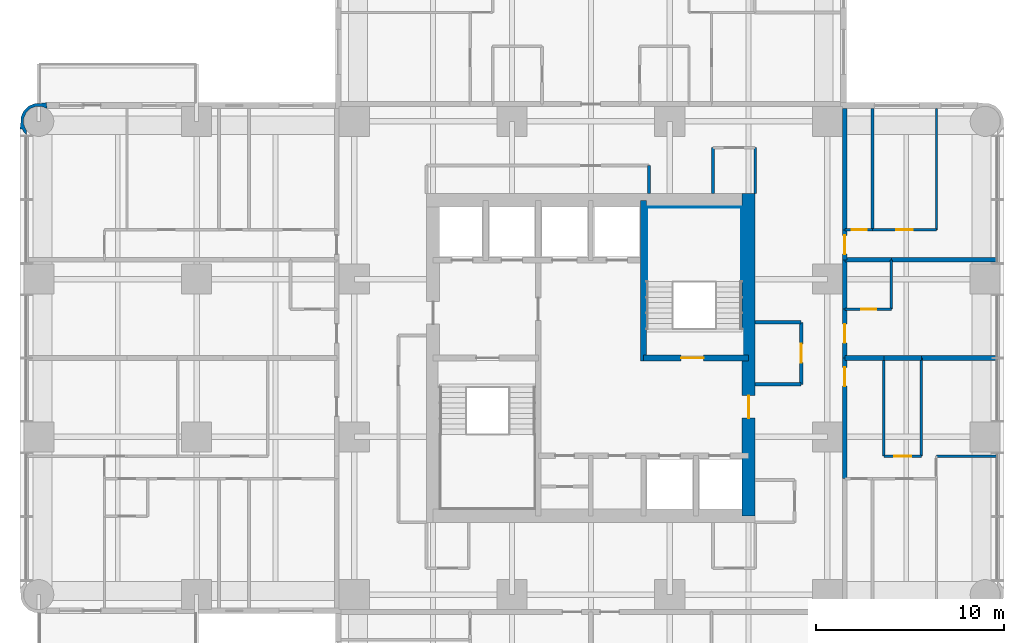
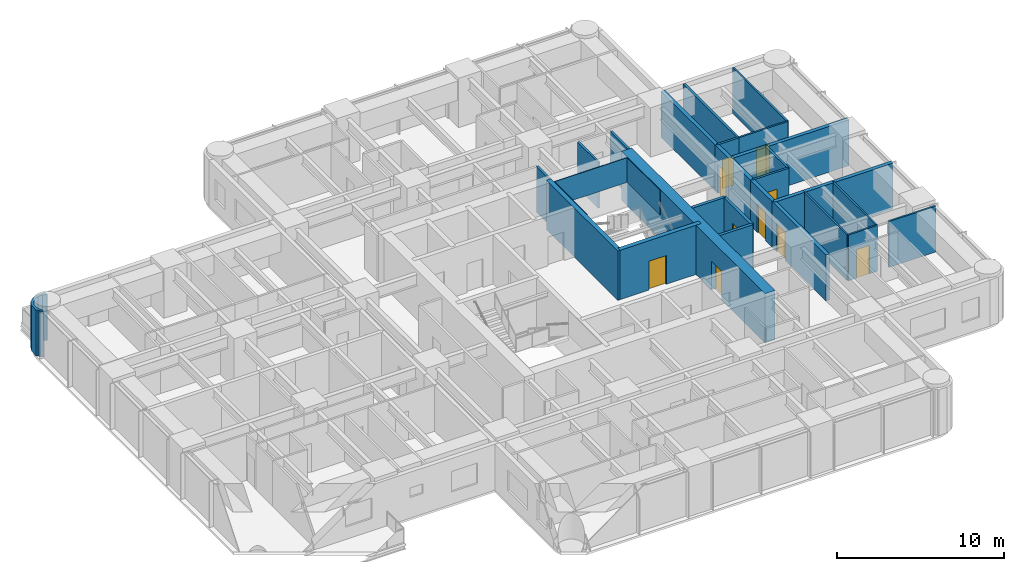
# One storey, part 8 of 11: 33 walls, 10 doors, 10 openings.
"""IFC4 building model written with IfcOpenShell, lengths in metres."""

from ifc_helpers import new_model, si_unit, direction, frame, frame_2d, origin, place, context, subcontext, project, spatial, polyline, rectangle, outline, extrude, material, layer, layer_set, type_object, element, fill, save


model = new_model("IFC4")

# Units and contexts
model_context = context("Model", 3, precision=1e-05, world=origin(), true_north=direction((0.0, 1.0)))
body_context = subcontext(model_context, "Body", "Model", "MODEL_VIEW")
ifc_project = project(units=[si_unit("LENGTHUNIT", "METRE"), si_unit("AREAUNIT", "SQUARE_METRE"), si_unit("VOLUMEUNIT", "CUBIC_METRE"), si_unit("PLANEANGLEUNIT", "RADIAN"), si_unit("MASSUNIT", "GRAM", prefix="KILO")], contexts=[model_context])

# Site, building, storey
site_placement = place(None, origin())
site = spatial("IfcSite", under=ifc_project, at=site_placement, CompositionType="ELEMENT")
building_placement = place(site_placement, origin())
building = spatial("IfcBuilding", under=site, at=building_placement, Name="Torre Alcanfor", CompositionType="ELEMENT")
storey_placement = place(building_placement, frame((0.0, 0.0, 244.5)))
storey = spatial("IfcBuildingStorey", under=building, at=storey_placement, Name="L64", CompositionType="ELEMENT", Elevation=244.5)

# Wall, opening, door
ifc_material_1 = material(Name="Concrete block masonry, hollow blocks NMX-C-404 9 MPa", Category="masonry")
ifc_layer_1 = layer(ifc_material_1, 0.25)
ifc_layer_set_1 = layer_set([ifc_layer_1], Name="Apartment entrance wall 250 EI 60")
wall_type_1 = type_object("IfcWallType", Name="Apartment entrance wall 250 EI 60", PredefinedType="PARTITIONING", material=ifc_layer_set_1)
wall_1_placement = place(storey_placement, frame((42.925048828125, 32.0, 0.0), z_axis=(0.0, 0.0, 1.0), x_axis=(0.0, -1.0, 0.0)))
wall_1 = element("IfcWall", 1, at=wall_1_placement, inside=storey, type_object=wall_type_1, Name="Partition L64-CORR / L64-E1A-STUDIO", PredefinedType="PARTITIONING", context=body_context, shape_type="SweptSolid", body=[
    extrude(rectangle(XDim=2.60009765625, YDim=0.25, at=frame_2d((1.300048828125, 0.0))), origin(), (0.0, 0.0, 1.0), 3.35009765625),
])
opening_1_placement = place(wall_1_placement, frame((0.800048828125, 0.0, 0.0)))
opening_1 = element("IfcOpeningElement", 2, at=opening_1_placement, cuts=wall_1, Name="Opening D-A1", PredefinedType="OPENING", context=body_context, shape_type="SweptSolid", body=[
    extrude(rectangle(XDim=1.0, YDim=2.10009765625, at=frame_2d((0.5, 1.050048828125))), frame((0.0, 0.135009765625, 0.0), z_axis=(0.0, -1.0, 0.0), x_axis=(1.0, 0.0, 0.0)), (0.0, 0.0, 1.0), 0.27001953125),
])
ifc_material_2 = material(Name="Galvanised steel sheet ASTM A653", Category="steel")
door_type_1 = type_object("IfcDoorType", Name="Apartment entrance door FD60 1000x2100", OperationType="SINGLE_SWING_LEFT", PredefinedType="DOOR", material=ifc_material_2)
door_1_placement = place(opening_1_placement, origin())
door_1 = element("IfcDoor", 3, at=door_1_placement, inside=storey, type_object=door_type_1, Name="Apartment entrance L64-E1A", OperationType="SINGLE_SWING_LEFT", OverallHeight=2.10009765625, OverallWidth=1.0, PredefinedType="DOOR", context=body_context, shape_type="SweptSolid", body=[
    extrude(rectangle(XDim=1.0, YDim=2.10009765625, at=frame_2d((0.5, 1.050048828125))), frame((0.0, 0.02490234375, 0.0), z_axis=(0.0, -1.0, 0.0), x_axis=(1.0, 0.0, 0.0)), (0.0, 0.0, 1.0), 0.050048828125),
])
fill(opening_1, door_1)

# Wall
wall_2_placement = place(storey_placement, frame((42.925048828125, 34.62890625, 0.0), z_axis=(0.0, 0.0, 1.0), x_axis=(0.0, -1.0, 0.0)))
element("IfcWall", 4, at=wall_2_placement, inside=storey, type_object=wall_type_1, Name="Partition L64-CORR / L64-E1A-BATH", PredefinedType="PARTITIONING", context=body_context, shape_type="SweptSolid", body=[
    extrude(rectangle(XDim=2.62890625, YDim=0.25, at=frame_2d((1.314453125, 0.0))), origin(), (0.0, 0.0, 1.0), 3.35009765625),
])

# Wall, opening, door
wall_3_placement = place(storey_placement, frame((42.925048828125, 36.22900390625, 0.0), z_axis=(0.0, 0.0, 1.0), x_axis=(0.0, -1.0, 0.0)))
wall_3 = element("IfcWall", 5, at=wall_3_placement, inside=storey, type_object=wall_type_1, Name="Partition L64-CORR / L64-E1B-LIVING", PredefinedType="PARTITIONING", context=body_context, shape_type="SweptSolid", body=[
    extrude(rectangle(XDim=1.60009765625, YDim=0.25, at=frame_2d((0.800048828125, 0.0))), origin(), (0.0, 0.0, 1.0), 3.35009765625),
])
opening_2_placement = place(wall_3_placement, frame((0.300048828125, 0.0, 0.0)))
opening_2 = element("IfcOpeningElement", 6, at=opening_2_placement, cuts=wall_3, Name="Opening D-A1", PredefinedType="OPENING", context=body_context, shape_type="SweptSolid", body=[
    extrude(rectangle(XDim=1.0, YDim=2.10009765625, at=frame_2d((0.5, 1.050048828125))), frame((0.0, 0.135009765625, 0.0), z_axis=(0.0, -1.0, 0.0), x_axis=(1.0, 0.0, 0.0)), (0.0, 0.0, 1.0), 0.27001953125),
])
door_2_placement = place(opening_2_placement, origin())
door_2 = element("IfcDoor", 7, at=door_2_placement, inside=storey, type_object=door_type_1, Name="Apartment entrance L64-E1B", OperationType="SINGLE_SWING_LEFT", OverallHeight=2.10009765625, OverallWidth=1.0, PredefinedType="DOOR", context=body_context, shape_type="SweptSolid", body=[
    extrude(rectangle(XDim=1.0, YDim=2.10009765625, at=frame_2d((0.5, 1.050048828125))), frame((0.0, 0.02490234375, 0.0), z_axis=(0.0, -1.0, 0.0), x_axis=(1.0, 0.0, 0.0)), (0.0, 0.0, 1.0), 0.050048828125),
])
fill(opening_2, door_2)

# Wall
wall_4_placement = place(storey_placement, frame((42.925048828125, 42.699951171875, 0.0), z_axis=(0.0, 0.0, 1.0), x_axis=(0.0, -1.0, 0.0)))
element("IfcWall", 8, at=wall_4_placement, inside=storey, type_object=wall_type_1, Name="Partition L64-CORR / L64-E1B-BATH", PredefinedType="PARTITIONING", context=body_context, shape_type="SweptSolid", body=[
    extrude(rectangle(XDim=6.470947265625, YDim=0.25, at=frame_2d((3.2353515625, 0.0))), origin(), (0.0, 0.0, 1.0), 3.35009765625),
])

# Wall, opening, door
wall_5_placement = place(storey_placement, frame((42.925048828125, 29.39990234375, 0.0), z_axis=(0.0, 0.0, 1.0), x_axis=(0.0, -1.0, 0.0)))
wall_5 = element("IfcWall", 9, at=wall_5_placement, inside=storey, type_object=wall_type_1, Name="Partition L64-CORR / L64-E2-LIVING", PredefinedType="PARTITIONING", context=body_context, shape_type="SweptSolid", body=[
    extrude(rectangle(XDim=6.428955078125, YDim=0.25, at=frame_2d((3.21435546875, 0.0))), origin(), (0.0, 0.0, 1.0), 3.35009765625),
])
opening_3_placement = place(wall_5_placement, frame((0.5, 0.0, 0.0)))
opening_3 = element("IfcOpeningElement", 10, at=opening_3_placement, cuts=wall_5, Name="Opening D-A1", PredefinedType="OPENING", context=body_context, shape_type="SweptSolid", body=[
    extrude(rectangle(XDim=1.0, YDim=2.10009765625, at=frame_2d((0.5, 1.050048828125))), frame((0.0, 0.135009765625, 0.0), z_axis=(0.0, -1.0, 0.0), x_axis=(1.0, 0.0, 0.0)), (0.0, 0.0, 1.0), 0.27001953125),
])
door_3_placement = place(opening_3_placement, origin())
door_3 = element("IfcDoor", 11, at=door_3_placement, inside=storey, type_object=door_type_1, Name="Apartment entrance L64-E2", OperationType="SINGLE_SWING_LEFT", OverallHeight=2.10009765625, OverallWidth=1.0, PredefinedType="DOOR", context=body_context, shape_type="SweptSolid", body=[
    extrude(rectangle(XDim=1.0, YDim=2.10009765625, at=frame_2d((0.5, 1.050048828125))), frame((0.0, 0.02490234375, 0.0), z_axis=(0.0, -1.0, 0.0), x_axis=(1.0, 0.0, 0.0)), (0.0, 0.0, 1.0), 0.050048828125),
])
fill(opening_3, door_3)

ifc_material_3 = material(Name="Gypsum board on steel studs", Category="steel")
ifc_layer_2 = layer(ifc_material_3, 0.1201171875)
ifc_layer_set_2 = layer_set([ifc_layer_2], Name="Apartment partition 120")
wall_type_2 = type_object("IfcWallType", Name="Apartment partition 120", PredefinedType="PARTITIONING", material=ifc_layer_set_2)
wall_6_placement = place(storey_placement, frame((44.39990234375, 36.22900390625, 0.0), z_axis=(0.0, 0.0, 1.0), x_axis=(1.0, 0.0, 0.0)))
wall_6 = element("IfcWall", 12, at=wall_6_placement, inside=storey, type_object=wall_type_2, Name="Partition L64-E1B-LIVING / L64-E1B-MASTER", PredefinedType="PARTITIONING", context=body_context, shape_type="SweptSolid", body=[
    extrude(rectangle(XDim=3.400146484375, YDim=0.1201171875, at=frame_2d((1.7001953125, 0.0))), origin(), (0.0, 0.0, 1.0), 3.35009765625),
])
opening_4_placement = place(wall_6_placement, frame((1.25, 0.0, 0.0)))
opening_4 = element("IfcOpeningElement", 13, at=opening_4_placement, cuts=wall_6, Name="Opening D-R1", PredefinedType="OPENING", context=body_context, shape_type="SweptSolid", body=[
    extrude(rectangle(XDim=0.89990234375, YDim=2.10009765625, at=frame_2d((0.449951171875, 1.050048828125))), frame((0.0, 0.070068359375, 0.0), z_axis=(0.0, -1.0, 0.0), x_axis=(1.0, 0.0, 0.0)), (0.0, 0.0, 1.0), 0.14013671875),
])
ifc_material_4 = material(Name="Timber", Category="wood")
door_type_2 = type_object("IfcDoorType", Name="Internal door 900x2100", OperationType="SINGLE_SWING_LEFT", PredefinedType="DOOR", material=ifc_material_4)
door_4_placement = place(opening_4_placement, origin())
door_4 = element("IfcDoor", 14, at=door_4_placement, inside=storey, type_object=door_type_2, Name="Door L64-E1B master", OperationType="SINGLE_SWING_LEFT", OverallHeight=2.10009765625, OverallWidth=0.89990234375, PredefinedType="DOOR", context=body_context, shape_type="SweptSolid", body=[
    extrude(rectangle(XDim=0.89990234375, YDim=2.10009765625, at=frame_2d((0.449951171875, 1.050048828125))), frame((0.0, 0.02490234375, 0.0), z_axis=(0.0, -1.0, 0.0), x_axis=(1.0, 0.0, 0.0)), (0.0, 0.0, 1.0), 0.050048828125),
])
fill(opening_4, door_4)

# Walls
wall_7_placement = place(storey_placement, frame((47.800048828125, 36.22900390625, 0.0), z_axis=(0.0, 0.0, 1.0), x_axis=(0.0, 1.0, 0.0)))
element("IfcWall", 15, at=wall_7_placement, inside=storey, type_object=wall_type_2, Name="Partition L64-E1B-LIVING / L64-E1B-MASTER", PredefinedType="PARTITIONING", context=body_context, shape_type="SweptSolid", body=[
    extrude(rectangle(XDim=6.470947265625, YDim=0.1201171875, at=frame_2d((3.2353515625, 0.0))), origin(), (0.0, 0.0, 1.0), 3.35009765625),
])
wall_8_placement = place(storey_placement, frame((47.0, 29.39990234375, 0.0), z_axis=(0.0, 0.0, 1.0), x_axis=(0.0, -1.0, 0.0)))
element("IfcWall", 16, at=wall_8_placement, inside=storey, type_object=wall_type_2, Name="Partition L64-E2-KITCHEN / L64-E2-LIVING", PredefinedType="PARTITIONING", context=body_context, shape_type="SweptSolid", body=[
    extrude(rectangle(XDim=5.22900390625, YDim=0.1201171875, at=frame_2d((2.614501953125, 0.0))), origin(), (0.0, 0.0, 1.0), 3.35009765625),
])

# Wall, opening, door
wall_9_placement = place(storey_placement, frame((47.0, 24.1708984375, 0.0), z_axis=(0.0, 0.0, 1.0), x_axis=(-1.0, 0.0, 0.0)))
wall_9 = element("IfcWall", 17, at=wall_9_placement, inside=storey, type_object=wall_type_2, Name="Partition L64-E2-KITCHEN / L64-E2-LIVING", PredefinedType="PARTITIONING", context=body_context, shape_type="SweptSolid", body=[
    extrude(rectangle(XDim=2.0, YDim=0.1201171875, at=frame_2d((1.0, 0.0))), origin(), (0.0, 0.0, 1.0), 3.35009765625),
])
opening_5_placement = place(wall_9_placement, frame((0.550048828125, 0.0, 0.0)))
opening_5 = element("IfcOpeningElement", 18, at=opening_5_placement, cuts=wall_9, Name="Opening D-R1", PredefinedType="OPENING", context=body_context, shape_type="SweptSolid", body=[
    extrude(rectangle(XDim=0.89990234375, YDim=2.10009765625, at=frame_2d((0.449951171875, 1.050048828125))), frame((0.0, 0.070068359375, 0.0), z_axis=(0.0, -1.0, 0.0), x_axis=(1.0, 0.0, 0.0)), (0.0, 0.0, 1.0), 0.14013671875),
])
door_5_placement = place(opening_5_placement, frame((0.89990234375, 0.0, 0.0), z_axis=(0.0, 0.0, 1.0), x_axis=(-1.0, 0.0, 0.0)))
door_5 = element("IfcDoor", 19, at=door_5_placement, inside=storey, type_object=door_type_2, Name="Door L64-E2 kitchen", OperationType="SINGLE_SWING_RIGHT", OverallHeight=2.10009765625, OverallWidth=0.89990234375, PredefinedType="DOOR", context=body_context, shape_type="SweptSolid", body=[
    extrude(rectangle(XDim=0.89990234375, YDim=2.10009765625, at=frame_2d((0.449951171875, 1.050048828125))), frame((0.0, 0.025146484375, 0.0), z_axis=(0.0, -1.0, 0.0), x_axis=(1.0, 0.0, 0.0)), (0.0, 0.0, 1.0), 0.050048828125),
])
fill(opening_5, door_5)

# Walls
wall_10_placement = place(storey_placement, frame((45.0, 24.1708984375, 0.0), z_axis=(0.0, 0.0, 1.0), x_axis=(0.0, 1.0, 0.0)))
element("IfcWall", 20, at=wall_10_placement, inside=storey, type_object=wall_type_2, Name="Partition L64-E2-KITCHEN / L64-E2-LIVING", PredefinedType="PARTITIONING", context=body_context, shape_type="SweptSolid", body=[
    extrude(rectangle(XDim=5.22900390625, YDim=0.1201171875, at=frame_2d((2.614501953125, 0.0))), origin(), (0.0, 0.0, 1.0), 3.35009765625),
])
wall_11_placement = place(storey_placement, frame((51.050048828125, 24.1708984375, 0.0), z_axis=(0.0, 0.0, 1.0), x_axis=(-1.0, 0.0, 0.0)))
element("IfcWall", 21, at=wall_11_placement, inside=storey, type_object=wall_type_2, Name="Partition L64-E2-LIVING / L64-E2-MASTER", PredefinedType="PARTITIONING", context=body_context, shape_type="SweptSolid", body=[
    extrude(rectangle(XDim=3.25, YDim=0.1201171875, at=frame_2d((1.625, 0.0))), origin(), (0.0, 0.0, 1.0), 3.35009765625),
])
ifc_material_5 = material(Name="Concrete f'c 70 MPa", Category="concrete")
ifc_layer_3 = layer(ifc_material_5, 0.300048828125)
ifc_layer_set_3 = layer_set([ifc_layer_3], Name="Core inner wall 300 f'c70")
wall_type_3 = type_object("IfcWallType", Name="Core inner wall 300 f'c70", PredefinedType="SHEAR", material=ifc_layer_set_3)
wall_12_placement = place(storey_placement, frame((32.199951171875, 29.25, 0.0), z_axis=(0.0, 0.0, 1.0), x_axis=(0.0, 1.0, 0.0)))
element("IfcWall", 22, at=wall_12_placement, inside=storey, type_object=wall_type_3, Name="Core wall X322N L64", PredefinedType="SHEAR", context=body_context, shape_type="SweptSolid", body=[
    extrude(rectangle(XDim=8.550048828125, YDim=0.300048828125, at=frame_2d((4.27490234375, 0.0))), origin(), (0.0, 0.0, 1.0), 3.60009765625),
])

# Wall, opening, door
wall_13_placement = place(storey_placement, frame((32.199951171875, 29.39990234375, 0.0), z_axis=(0.0, 0.0, 1.0), x_axis=(1.0, 0.0, 0.0)))
wall_13 = element("IfcWall", 23, at=wall_13_placement, inside=storey, type_object=wall_type_3, Name="Core wall Y294E L64", PredefinedType="SHEAR", context=body_context, shape_type="SweptSolid", body=[
    extrude(rectangle(XDim=5.60009765625, YDim=0.300048828125, at=frame_2d((2.800048828125, 0.0))), origin(), (0.0, 0.0, 1.0), 3.60009765625),
])
opening_6_placement = place(wall_13_placement, frame((2.0, 0.0, 0.0)))
opening_6 = element("IfcOpeningElement", 24, at=opening_6_placement, cuts=wall_13, Name="Opening D-S2", PredefinedType="OPENING", context=body_context, shape_type="SweptSolid", body=[
    extrude(rectangle(XDim=1.199951171875, YDim=2.10009765625, at=frame_2d((0.60009765625, 1.050048828125))), frame((0.0, 0.159912109375, 0.0), z_axis=(0.0, -1.0, 0.0), x_axis=(1.0, 0.0, 0.0)), (0.0, 0.0, 1.0), 0.320068359375),
])
ifc_material_6 = material(Name="Galvanised steel sheet ASTM A653", Category="steel")
door_type_3 = type_object("IfcDoorType", Name="Stair enclosure door FD120 1200x2100", OperationType="SINGLE_SWING_LEFT", PredefinedType="DOOR", material=ifc_material_6)
door_6_placement = place(opening_6_placement, origin())
door_6 = element("IfcDoor", 25, at=door_6_placement, inside=storey, type_object=door_type_3, Name="Stair S2 door L64", OperationType="SINGLE_SWING_LEFT", OverallHeight=2.10009765625, OverallWidth=1.199951171875, PredefinedType="DOOR", context=body_context, shape_type="SweptSolid", body=[
    extrude(rectangle(XDim=1.199951171875, YDim=2.10009765625, at=frame_2d((0.60009765625, 1.050048828125))), frame((0.0, 0.02490234375, 0.0), z_axis=(0.0, -1.0, 0.0), x_axis=(1.0, 0.0, 0.0)), (0.0, 0.0, 1.0), 0.050048828125),
])
fill(opening_6, door_6)

ifc_material_7 = material(Name="Concrete f'c 70 MPa", Category="concrete")
ifc_layer_4 = layer(ifc_material_7, 0.699951171875)
ifc_layer_set_4 = layer_set([ifc_layer_4], Name="Core wall 700 f'c70")
wall_type_4 = type_object("IfcWallType", Name="Core wall 700 f'c70", PredefinedType="SHEAR", material=ifc_layer_set_4)
wall_14_placement = place(storey_placement, frame((37.800048828125, 21.0, 0.0), z_axis=(0.0, 0.0, 1.0), x_axis=(0.0, 1.0, 0.0)))
wall_14 = element("IfcWall", 26, at=wall_14_placement, inside=storey, type_object=wall_type_4, Name="Core wall OUT-E L64", PredefinedType="SHEAR", context=body_context, shape_type="SweptSolid", body=[
    extrude(rectangle(XDim=17.14990234375, YDim=0.699951171875, at=frame_2d((8.574951171875, 0.0))), origin(), (0.0, 0.0, 1.0), 3.60009765625),
])
opening_7_placement = place(wall_14_placement, frame((5.199951171875, 0.0, 0.0)))
opening_7 = element("IfcOpeningElement", 27, at=opening_7_placement, cuts=wall_14, Name="Opening D-L1", PredefinedType="OPENING", context=body_context, shape_type="SweptSolid", body=[
    extrude(rectangle(XDim=1.199951171875, YDim=2.10009765625, at=frame_2d((0.60009765625, 1.050048828125))), frame((0.0, 0.35986328125, 0.0), z_axis=(0.0, -1.0, 0.0), x_axis=(1.0, 0.0, 0.0)), (0.0, 0.0, 1.0), 0.719970703125),
])
ifc_material_8 = material(Name="Galvanised steel sheet ASTM A653", Category="steel")
door_type_4 = type_object("IfcDoorType", Name="Lobby door FD120 1200x2100", OperationType="SINGLE_SWING_LEFT", PredefinedType="DOOR", material=ifc_material_8)
door_7_placement = place(opening_7_placement, origin())
door_7 = element("IfcDoor", 28, at=door_7_placement, inside=storey, type_object=door_type_4, Name="Lift lobby entrance door L64", OperationType="SINGLE_SWING_LEFT", OverallHeight=2.10009765625, OverallWidth=1.199951171875, PredefinedType="DOOR", context=body_context, shape_type="SweptSolid", body=[
    extrude(rectangle(XDim=1.199951171875, YDim=2.10009765625, at=frame_2d((0.60009765625, 1.050048828125))), frame((0.0, 0.02490234375, 0.0), z_axis=(0.0, -1.0, 0.0), x_axis=(1.0, 0.0, 0.0)), (0.0, 0.0, 1.0), 0.050048828125),
])
fill(opening_7, door_7)

# Walls
ifc_material_9 = material(Name="Concrete block masonry, hollow blocks NMX-C-404 9 MPa", Category="masonry")
ifc_layer_5 = layer(ifc_material_9, 0.25)
ifc_layer_set_5 = layer_set([ifc_layer_5], Name="Party wall 250 EI 60")
wall_type_5 = type_object("IfcWallType", Name="Party wall 250 EI 60", PredefinedType="PARTITIONING", material=ifc_layer_set_5)
wall_15_placement = place(storey_placement, frame((45.39990234375, 34.62890625, 0.0), z_axis=(0.0, 0.0, 1.0), x_axis=(1.0, 0.0, 0.0)))
element("IfcWall", 29, at=wall_15_placement, inside=storey, type_object=wall_type_5, Name="Partition L64-E1A-STUDIO / L64-E1B-LIVING", PredefinedType="PARTITIONING", context=body_context, shape_type="SweptSolid", body=[
    extrude(rectangle(XDim=5.650146484375, YDim=0.25, at=frame_2d((2.8251953125, 0.0))), origin(), (0.0, 0.0, 1.0), 3.35009765625),
])
wall_16_placement = place(storey_placement, frame((47.0, 29.39990234375, 0.0), z_axis=(0.0, 0.0, 1.0), x_axis=(-1.0, 0.0, 0.0)))
element("IfcWall", 30, at=wall_16_placement, inside=storey, type_object=wall_type_5, Name="Partition L64-E1A-STUDIO / L64-E2-KITCHEN", PredefinedType="PARTITIONING", context=body_context, shape_type="SweptSolid", body=[
    extrude(rectangle(XDim=2.0, YDim=0.25, at=frame_2d((1.0, 0.0))), origin(), (0.0, 0.0, 1.0), 3.35009765625),
])
wall_17_placement = place(storey_placement, frame((45.0, 29.39990234375, 0.0), z_axis=(0.0, 0.0, 1.0), x_axis=(-1.0, 0.0, 0.0)))
element("IfcWall", 31, at=wall_17_placement, inside=storey, type_object=wall_type_5, Name="Partition L64-E1A-STUDIO / L64-E2-LIVING", PredefinedType="PARTITIONING", context=body_context, shape_type="SweptSolid", body=[
    extrude(rectangle(XDim=2.074951171875, YDim=0.25, at=frame_2d((1.03759765625, 0.0))), origin(), (0.0, 0.0, 1.0), 3.35009765625),
])
wall_18_placement = place(storey_placement, frame((51.050048828125, 29.39990234375, 0.0), z_axis=(0.0, 0.0, 1.0), x_axis=(-1.0, 0.0, 0.0)))
element("IfcWall", 32, at=wall_18_placement, inside=storey, type_object=wall_type_5, Name="Partition L64-E1A-STUDIO / L64-E2-LIVING", PredefinedType="PARTITIONING", context=body_context, shape_type="SweptSolid", body=[
    extrude(rectangle(XDim=4.050048828125, YDim=0.25, at=frame_2d((2.02490234375, 0.0))), origin(), (0.0, 0.0, 1.0), 3.35009765625),
])
wall_19_placement = place(storey_placement, frame((45.39990234375, 34.62890625, 0.0), z_axis=(0.0, 0.0, 1.0), x_axis=(-1.0, 0.0, 0.0)))
element("IfcWall", 33, at=wall_19_placement, inside=storey, type_object=wall_type_5, Name="Partition L64-E1A-BATH / L64-E1B-LIVING", PredefinedType="PARTITIONING", context=body_context, shape_type="SweptSolid", body=[
    extrude(rectangle(XDim=2.474853515625, YDim=0.25, at=frame_2d((1.2373046875, 0.0))), origin(), (0.0, 0.0, 1.0), 3.35009765625),
])
ifc_material_10 = material(Name="Concrete block masonry, hollow blocks NMX-C-404 9 MPa", Category="masonry")
ifc_layer_6 = layer(ifc_material_10, 0.199951171875)
ifc_layer_set_6 = layer_set([ifc_layer_6], Name="Plant room wall 200 EI 60")
wall_type_6 = type_object("IfcWallType", Name="Plant room wall 200 EI 60", PredefinedType="PARTITIONING", material=ifc_layer_set_6)
wall_20_placement = place(storey_placement, frame((38.14990234375, 28.0, 0.0), z_axis=(0.0, 0.0, 1.0), x_axis=(1.0, 0.0, 0.0)))
element("IfcWall", 34, at=wall_20_placement, inside=storey, type_object=wall_type_6, Name="Partition L64-CORR / L64-G04", PredefinedType="PARTITIONING", context=body_context, shape_type="SweptSolid", body=[
    extrude(rectangle(XDim=2.4501953125, YDim=0.199951171875, at=frame_2d((1.22509765625, 0.0))), origin(), (0.0, 0.0, 1.0), 3.35009765625),
])

# Wall, opening, door
wall_21_placement = place(storey_placement, frame((40.60009765625, 28.0, 0.0), z_axis=(0.0, 0.0, 1.0), x_axis=(0.0, 1.0, 0.0)))
wall_21 = element("IfcWall", 35, at=wall_21_placement, inside=storey, type_object=wall_type_6, Name="Partition L64-CORR / L64-G04", PredefinedType="PARTITIONING", context=body_context, shape_type="SweptSolid", body=[
    extrude(rectangle(XDim=3.300048828125, YDim=0.199951171875, at=frame_2d((1.64990234375, 0.0))), origin(), (0.0, 0.0, 1.0), 3.35009765625),
])
opening_8_placement = place(wall_21_placement, frame((1.14990234375, 0.0, 0.0)))
opening_8 = element("IfcOpeningElement", 36, at=opening_8_placement, cuts=wall_21, Name="Opening D-K1", PredefinedType="OPENING", context=body_context, shape_type="SweptSolid", body=[
    extrude(rectangle(XDim=1.0, YDim=2.10009765625, at=frame_2d((0.5, 1.050048828125))), frame((0.0, 0.10986328125, 0.0), z_axis=(0.0, -1.0, 0.0), x_axis=(1.0, 0.0, 0.0)), (0.0, 0.0, 1.0), 0.219970703125),
])
ifc_material_11 = material(Name="Galvanised steel sheet ASTM A653", Category="steel")
door_type_5 = type_object("IfcDoorType", Name="Core room door FD60 1000x2100", OperationType="SINGLE_SWING_LEFT", PredefinedType="DOOR", material=ifc_material_11)
door_8_placement = place(opening_8_placement, origin())
door_8 = element("IfcDoor", 37, at=door_8_placement, inside=storey, type_object=door_type_5, Name="Door L64-G04 refuse and recycling store", OperationType="SINGLE_SWING_LEFT", OverallHeight=2.10009765625, OverallWidth=1.0, PredefinedType="DOOR", context=body_context, shape_type="SweptSolid", body=[
    extrude(rectangle(XDim=1.0, YDim=2.10009765625, at=frame_2d((0.5, 1.050048828125))), frame((0.0, 0.02490234375, 0.0), z_axis=(0.0, -1.0, 0.0), x_axis=(1.0, 0.0, 0.0)), (0.0, 0.0, 1.0), 0.050048828125),
])
fill(opening_8, door_8)

# Walls
wall_22_placement = place(storey_placement, frame((40.60009765625, 31.300048828125, 0.0), z_axis=(0.0, 0.0, 1.0), x_axis=(-1.0, 0.0, 0.0)))
element("IfcWall", 38, at=wall_22_placement, inside=storey, type_object=wall_type_6, Name="Partition L64-CORR / L64-G04", PredefinedType="PARTITIONING", context=body_context, shape_type="SweptSolid", body=[
    extrude(rectangle(XDim=2.4501953125, YDim=0.199951171875, at=frame_2d((1.22509765625, 0.0))), origin(), (0.0, 0.0, 1.0), 3.35009765625),
])
ifc_material_12 = material(Name="Concrete block masonry, hollow blocks NMX-C-404 9 MPa", Category="masonry")
ifc_layer_7 = layer(ifc_material_12, 0.14990234375)
ifc_layer_set_7 = layer_set([ifc_layer_7], Name="Residents' room partition 150")
wall_type_7 = type_object("IfcWallType", Name="Residents' room partition 150", PredefinedType="PARTITIONING", material=ifc_layer_set_7)
wall_23_placement = place(storey_placement, frame((32.5, 38.14990234375, 0.0), z_axis=(0.0, 0.0, 1.0), x_axis=(0.0, 1.0, 0.0)))
element("IfcWall", 39, at=wall_23_placement, inside=storey, type_object=wall_type_7, Name="Partition L64-CORR / L64-G01", PredefinedType="PARTITIONING", context=body_context, shape_type="SweptSolid", body=[
    extrude(rectangle(XDim=1.5, YDim=0.14990234375, at=frame_2d((0.75, 0.0))), origin(), (0.0, 0.0, 1.0), 3.35009765625),
])
for number, where, z_axis, x_axis, name in (
    (40, (38.14990234375, 38.14990234375, 0.0), (0.0, 0.0, 1.0), (0.0, 1.0, 0.0), "Partition L64-CORR / L64-G02"),
    (41, (35.89990234375, 40.60009765625, 0.0), (0.0, 0.0, 1.0), (0.0, -1.0, 0.0), "Partition L64-CORR / L64-G02"),
):
    element("IfcWall", number, at=place(storey_placement, frame(where, z_axis=z_axis, x_axis=x_axis)), inside=storey, type_object=wall_type_7, Name=name, PredefinedType="PARTITIONING", context=body_context, shape_type="SweptSolid", body=[
        extrude(rectangle(XDim=2.4501953125, YDim=0.14990234375, at=frame_2d((1.22509765625, 0.0))), origin(), (0.0, 0.0, 1.0), 3.35009765625),
    ])
ifc_material_13 = material(Name="Limestone cladding", Category="masonry")
ifc_layer_8 = layer(ifc_material_13, 0.0400390625, Name="Facing")
ifc_material_14 = material(Name="Ventilated air cavity")
ifc_layer_9 = layer(ifc_material_14, 0.02001953125, ventilated=True, Name="Ventilated joint")
ifc_material_15 = material(Name="Mineral wool insulation", Category="insulation")
ifc_layer_10 = layer(ifc_material_15, 0.10009765625, Name="Insulation")
ifc_material_16 = material(Name="Concrete f'c 35 MPa", Category="concrete")
ifc_layer_11 = layer(ifc_material_16, 0.139892578125, Name="Backing")
ifc_layer_set_8 = layer_set([ifc_layer_8, ifc_layer_9, ifc_layer_10, ifc_layer_11], Name="Rounded corner pier stone-clad 300")
wall_type_8 = type_object("IfcWallType", Name="Rounded corner pier stone-clad 300", PredefinedType="SOLIDWALL", material=ifc_layer_set_8)
wall_24_placement = place(storey_placement, frame((0.326823795, 42.817059488, 0.0), z_axis=(0.0, 0.0, 1.0), x_axis=(-0.93923434088, 0.343276641956, 0.0)))
element("IfcWall", 42, at=wall_24_placement, inside=storey, type_object=wall_type_8, Name="Corner pier L64 13", PredefinedType="SOLIDWALL", context=body_context, shape_type="SweptSolid", body=[
    extrude(outline(polyline([(-0.005838677930572508, -0.19691017002240385), (0.2656725893480827, -0.05504723679548061), (0.5353355739365452, 0.04351070532859805), (0.8164808166219237, 0.3019667887790936), (0.9774010351300944, 0.6482698031873169), (0.9936526519661447, 1.0298167590229048), (0.8950947098420661, 1.2994797436113674), (0.8284439015683875, 1.5984799607341533), (0.6967504599124257, 1.5690632792769885), (0.6041212101125378, 1.6695954267902182), (0.39402236502400456, 1.7672242392847775), (0.4711255170258348, 1.5562634010012864), (0.5086990809760941, 1.538803702790635), (0.7241945805605172, 1.30408163961566), (0.8334799177457201, 1.0050675818747117), (0.8201287688443563, 0.6867053603325339), (0.6856890926223405, 0.3973889179155373), (0.4509670294473655, 0.1818934183311141), (0.15195297170641725, 0.07260808114591123), (-0.11630424425966698, 0.08399689688883538), (-0.12741215805145528, 0.07811756360614214), (-0.14598588403076265, 0.07132913391902448), (-0.005838677930572508, -0.19691017002240385)])), origin(), (0.0, 0.0, 1.0), 3.35009765625),
])
ifc_material_17 = material(Name="Calcium silicate board", Category="masonry")
ifc_layer_12 = layer(ifc_material_17, 0.050048828125)
ifc_layer_set_9 = layer_set([ifc_layer_12], Name="Stair lining 50 EI 120")
wall_type_9 = type_object("IfcWallType", Name="Stair lining 50 EI 120", PredefinedType="PARTITIONING", material=ifc_layer_set_9)
wall_25_placement = place(storey_placement, frame((32.35009765625, 37.425048828125, 1.800048828125), z_axis=(0.0, 0.0, 1.0), x_axis=(1.0, 0.0, 0.0)))
element("IfcWall", 43, at=wall_25_placement, inside=storey, type_object=wall_type_9, Name="Stair lining S2 L64 north end", PredefinedType="PARTITIONING", context=body_context, shape_type="SweptSolid", body=[
    extrude(rectangle(XDim=5.099853515625, YDim=0.050048828125, at=frame_2d((2.5498046875, 0.0))), origin(), (0.0, 0.0, 1.0), 1.800048828125),
])
for number, where, z_axis, x_axis, name in (
    (44, (32.375, 33.469970703125, 1.800048828125), (0.0, 0.0, 1.0), (0.0, 1.0, 0.0), "Stair lining S2 L64 west side"),
    (45, (37.425048828125, 33.469970703125, 1.800048828125), (0.0, 0.0, 1.0), (0.0, 1.0, 0.0), "Stair lining S2 L64 east side"),
):
    element("IfcWall", number, at=place(storey_placement, frame(where, z_axis=z_axis, x_axis=x_axis)), inside=storey, type_object=wall_type_9, Name=name, PredefinedType="PARTITIONING", context=body_context, shape_type="SweptSolid", body=[
        extrude(rectangle(XDim=3.929931640625, YDim=0.050048828125, at=frame_2d((1.96484375, 0.0))), origin(), (0.0, 0.0, 1.0), 1.800048828125),
    ])

# Wall, opening, door
ifc_material_18 = material(Name="Cement board on steel studs", Category="steel")
ifc_layer_13 = layer(ifc_material_18, 0.14990234375)
ifc_layer_set_10 = layer_set([ifc_layer_13], Name="Wet area partition 150")
wall_type_10 = type_object("IfcWallType", Name="Wet area partition 150", PredefinedType="PARTITIONING", material=ifc_layer_set_10)
wall_26_placement = place(storey_placement, frame((42.925048828125, 32.0, 0.0), z_axis=(0.0, 0.0, 1.0), x_axis=(1.0, 0.0, 0.0)))
wall_26 = element("IfcWall", 46, at=wall_26_placement, inside=storey, type_object=wall_type_10, Name="Partition L64-E1A-STUDIO / L64-E1A-BATH", PredefinedType="PARTITIONING", context=body_context, shape_type="SweptSolid", body=[
    extrude(rectangle(XDim=2.474853515625, YDim=0.14990234375, at=frame_2d((1.2373046875, 0.0))), origin(), (0.0, 0.0, 1.0), 3.35009765625),
])
opening_9_placement = place(wall_26_placement, frame((0.875, 0.0, 0.0)))
opening_9 = element("IfcOpeningElement", 47, at=opening_9_placement, cuts=wall_26, Name="Opening D-R2", PredefinedType="OPENING", context=body_context, shape_type="SweptSolid", body=[
    extrude(rectangle(XDim=0.800048828125, YDim=2.10009765625, at=frame_2d((0.39990234375, 1.050048828125))), frame((0.0, 0.0849609375, 0.0), z_axis=(0.0, -1.0, 0.0), x_axis=(1.0, 0.0, 0.0)), (0.0, 0.0, 1.0), 0.169921875),
])
ifc_material_19 = material(Name="Timber", Category="wood")
door_type_6 = type_object("IfcDoorType", Name="Bathroom door 800x2100", OperationType="SINGLE_SWING_LEFT", PredefinedType="DOOR", material=ifc_material_19)
door_9_placement = place(opening_9_placement, origin())
door_9 = element("IfcDoor", 48, at=door_9_placement, inside=storey, type_object=door_type_6, Name="Door L64-E1A bath", OperationType="SINGLE_SWING_RIGHT", OverallHeight=2.10009765625, OverallWidth=0.800048828125, PredefinedType="DOOR", context=body_context, shape_type="SweptSolid", body=[
    extrude(rectangle(XDim=0.800048828125, YDim=2.10009765625, at=frame_2d((0.39990234375, 1.050048828125))), frame((0.0, 0.02490234375, 0.0), z_axis=(0.0, -1.0, 0.0), x_axis=(1.0, 0.0, 0.0)), (0.0, 0.0, 1.0), 0.050048828125),
])
fill(opening_9, door_9)

# Wall
wall_27_placement = place(storey_placement, frame((45.39990234375, 32.0, 0.0), z_axis=(0.0, 0.0, 1.0), x_axis=(0.0, 1.0, 0.0)))
element("IfcWall", 49, at=wall_27_placement, inside=storey, type_object=wall_type_10, Name="Partition L64-E1A-STUDIO / L64-E1A-BATH", PredefinedType="PARTITIONING", context=body_context, shape_type="SweptSolid", body=[
    extrude(rectangle(XDim=2.62890625, YDim=0.14990234375, at=frame_2d((1.314453125, 0.0))), origin(), (0.0, 0.0, 1.0), 3.35009765625),
])

# Wall, opening, door
wall_28_placement = place(storey_placement, frame((42.925048828125, 36.22900390625, 0.0), z_axis=(0.0, 0.0, 1.0), x_axis=(1.0, 0.0, 0.0)))
wall_28 = element("IfcWall", 50, at=wall_28_placement, inside=storey, type_object=wall_type_10, Name="Partition L64-E1B-LIVING / L64-E1B-BATH", PredefinedType="PARTITIONING", context=body_context, shape_type="SweptSolid", body=[
    extrude(rectangle(XDim=1.474853515625, YDim=0.14990234375, at=frame_2d((0.7373046875, 0.0))), origin(), (0.0, 0.0, 1.0), 3.35009765625),
])
opening_10_placement = place(wall_28_placement, frame((0.375, 0.0, 0.0)))
opening_10 = element("IfcOpeningElement", 51, at=opening_10_placement, cuts=wall_28, Name="Opening D-R2", PredefinedType="OPENING", context=body_context, shape_type="SweptSolid", body=[
    extrude(rectangle(XDim=0.800048828125, YDim=2.10009765625, at=frame_2d((0.39990234375, 1.050048828125))), frame((0.0, 0.0849609375, 0.0), z_axis=(0.0, -1.0, 0.0), x_axis=(1.0, 0.0, 0.0)), (0.0, 0.0, 1.0), 0.169921875),
])
door_10_placement = place(opening_10_placement, origin())
door_10 = element("IfcDoor", 52, at=door_10_placement, inside=storey, type_object=door_type_6, Name="Door L64-E1B bath", OperationType="SINGLE_SWING_RIGHT", OverallHeight=2.10009765625, OverallWidth=0.800048828125, PredefinedType="DOOR", context=body_context, shape_type="SweptSolid", body=[
    extrude(rectangle(XDim=0.800048828125, YDim=2.10009765625, at=frame_2d((0.39990234375, 1.050048828125))), frame((0.0, 0.02490234375, 0.0), z_axis=(0.0, -1.0, 0.0), x_axis=(1.0, 0.0, 0.0)), (0.0, 0.0, 1.0), 0.050048828125),
])
fill(opening_10, door_10)

# Wall
wall_29_placement = place(storey_placement, frame((44.39990234375, 36.22900390625, 0.0), z_axis=(0.0, 0.0, 1.0), x_axis=(0.0, 1.0, 0.0)))
element("IfcWall", 53, at=wall_29_placement, inside=storey, type_object=wall_type_10, Name="Partition L64-E1B-BATH / L64-E1B-MASTER", PredefinedType="PARTITIONING", context=body_context, shape_type="SweptSolid", body=[
    extrude(rectangle(XDim=6.470947265625, YDim=0.14990234375, at=frame_2d((3.2353515625, 0.0))), origin(), (0.0, 0.0, 1.0), 3.35009765625),
])

save(model, "model.ifc")
